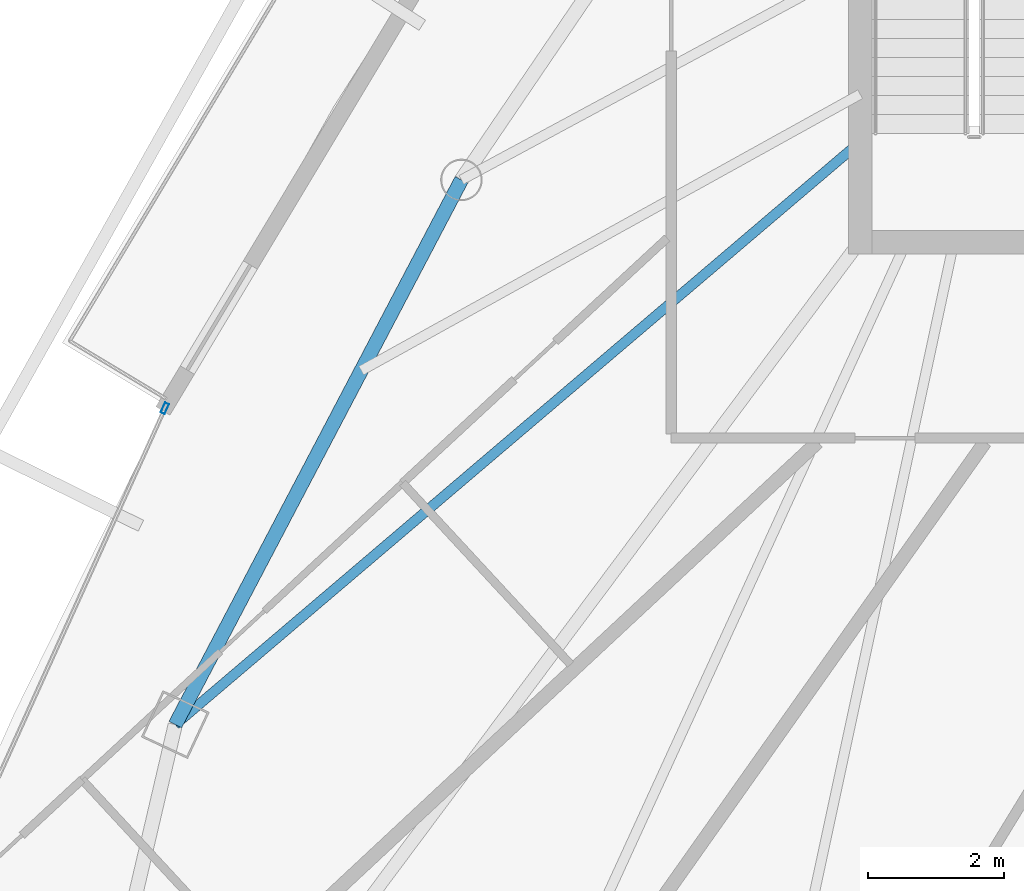
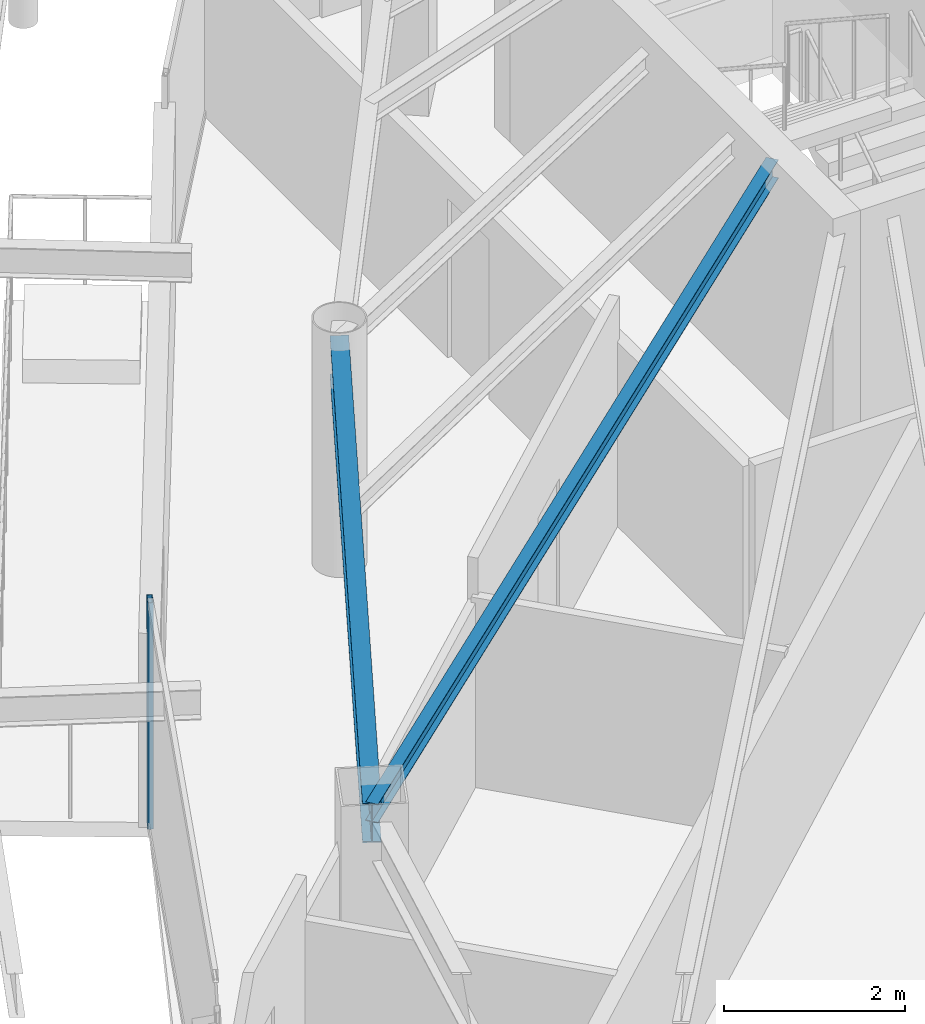
# One storey, part 10 of 32: 2 beams, 1 member, 1 element without a shape of its own.
"""IFC4 building model written with IfcOpenShell, lengths in metres."""

from ifc_helpers import new_model, si_unit, direction, frame, origin, origin_2d, place, context, subcontext, project, spatial, hollow_rectangle, i_section, extrude, material, layer, layer_set, material_profile, profile_set, type_object, element, aggregate, save


model = new_model("IFC4")

# Units and contexts
model_context = context("Model", 3, precision=1e-05, world=origin(), true_north=direction((0.0, 1.0)))
body_context = subcontext(model_context, "Body", "Model", "MODEL_VIEW")
ifc_project = project(units=[si_unit("LENGTHUNIT", "METRE"), si_unit("AREAUNIT", "SQUARE_METRE"), si_unit("VOLUMEUNIT", "CUBIC_METRE"), si_unit("PLANEANGLEUNIT", "RADIAN"), si_unit("MASSUNIT", "GRAM", prefix="KILO")], contexts=[model_context])

# Site, building, storey
site_placement = place(None, origin())
site = spatial("IfcSite", under=ifc_project, at=site_placement, CompositionType="ELEMENT")
building_placement = place(site_placement, origin())
building = spatial("IfcBuilding", under=site, at=building_placement, Name="Orvanel Arch Residences", CompositionType="ELEMENT")
storey_placement = place(building_placement, frame((0.0, 0.0, 219.5)))
storey = spatial("IfcBuildingStorey", under=building, at=storey_placement, Name="L62", CompositionType="ELEMENT", Elevation=219.5)

# Beam
ifc_material_1 = material(Name="Structural steel AS/NZS 3679.1 Grade 300 (300 MPa)", Category="steel")
ifc_material_profile_1 = material_profile(ifc_material_1, i_section(OverallWidth=0.14599609375, OverallDepth=0.251953125, WebThickness=0.006103515625, FlangeThickness=0.008544921875, at=origin_2d()), Name="250UB31.4")
ifc_profile_set_1 = profile_set([ifc_material_profile_1], Name="Structural steel AS/NZS 3679.1 Grade 300 (300 MPa)")
beam_type_1 = type_object("IfcBeamType", Name="BJ-250UB", PredefinedType="JOIST", material=ifc_profile_set_1)
beam_1_placement = place(storey_placement, frame((26.425048828125, 28.199951171875, 2.93408203125), z_axis=(-0.761622669031, -0.64802076357, 0.0), x_axis=(0.64802076357, -0.761622669031, 0.0)))
element("IfcBeam", 1, at=beam_1_placement, inside=storey, type_object=beam_type_1, Name="L62 W Wing Floor Joist", PredefinedType="JOIST", context=body_context, shape_type="SweptSolid", body=[
    extrude(i_section(OverallWidth=0.14599609375, OverallDepth=0.251953125, WebThickness=0.006103515625, FlangeThickness=0.008544921875, at=origin_2d()), origin(), (0.0, 0.0, 1.0), 13.2060546875),
])

# Curtain wall, member
ifc_material_2 = material(Name="Bronze-anodised aluminium AA6063-T6", Category="aluminium")
ifc_layer = layer(ifc_material_2, 0.175048828125)
ifc_layer_set = layer_set([ifc_layer], Name="Bronze-anodised aluminium AA6063-T6")
curtain_wall_type = type_object("IfcCurtainWallType", Name="CW4-HI-SYS", PredefinedType="NOTDEFINED", material=ifc_layer_set)
curtain_wall_placement = place(storey_placement, origin())
curtain_wall = element("IfcCurtainWall", 2, at=curtain_wall_placement, inside=storey, type_object=curtain_wall_type, Name="L62 CW4-HI-SYS Unitised Curtain Wall", PredefinedType="NOTDEFINED")
ifc_material_profile_2 = material_profile(ifc_material_2, hollow_rectangle(XDim=0.06494140625, YDim=0.159912109375, WallThickness=0.00390625, at=origin_2d()), Name="ALU160x65x4")
ifc_profile_set_2 = profile_set([ifc_material_profile_2], Name="Bronze-anodised aluminium AA6063-T6")
member_type = type_object("IfcMemberType", Name="MUL-160x65", PredefinedType="MULLION", material=ifc_profile_set_2)
member_placement = place(storey_placement, frame((16.213623046875, 24.286376953125, 0.0), z_axis=(0.0, 0.0, 1.0), x_axis=(0.911480004164, -0.411344383709, 0.0)))
member = element("IfcMember", 3, at=member_placement, type_object=member_type, Name="CW-S4 mullion 1", PredefinedType="MULLION", context=body_context, shape_type="SweptSolid", body=[
    extrude(hollow_rectangle(XDim=0.06494140625, YDim=0.159912109375, WallThickness=0.00390625, at=origin_2d()), origin(), (0.0, 0.0, 1.0), 3.06005859375),
])
aggregate(curtain_wall, [member])

# Beam
ifc_material_profile_3 = material_profile(ifc_material_1, i_section(OverallWidth=0.208984375, OverallDepth=0.532958984375, WebThickness=0.01025390625, FlangeThickness=0.015625, at=origin_2d()), Name="530UB92.4")
ifc_profile_set_3 = profile_set([ifc_material_profile_3], Name="Structural steel AS/NZS 3679.1 Grade 300 (300 MPa)")
beam_type_2 = type_object("IfcBeamType", Name="SP-530UB", PredefinedType="SPANDREL", material=ifc_profile_set_3)
beam_2_placement = place(storey_placement, frame((20.569091796875, 27.64111328125, 2.79296875), z_axis=(-0.465064762793, -0.885276660942, 0.0), x_axis=(0.885276660942, -0.465064762793, 0.0)))
element("IfcBeam", 4, at=beam_2_placement, inside=storey, type_object=beam_type_2, Name="L62 Perimeter Spandrel Beam 12", PredefinedType="SPANDREL", context=body_context, shape_type="SweptSolid", body=[
    extrude(i_section(OverallWidth=0.208984375, OverallDepth=0.532958984375, WebThickness=0.01025390625, FlangeThickness=0.015625, at=origin_2d()), origin(), (0.0, 0.0, 1.0), 9.03564453125),
])

save(model, "model.ifc")
